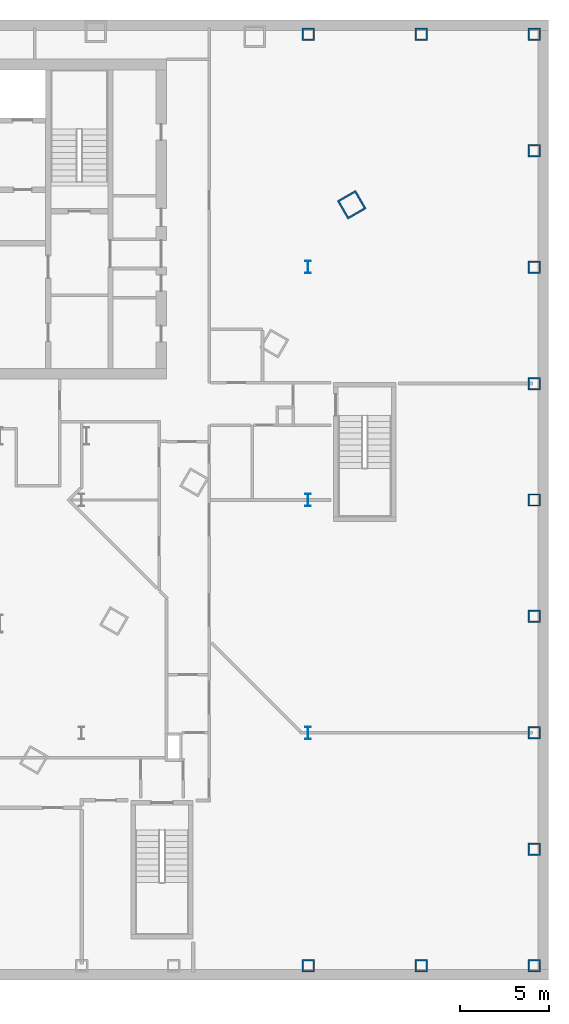
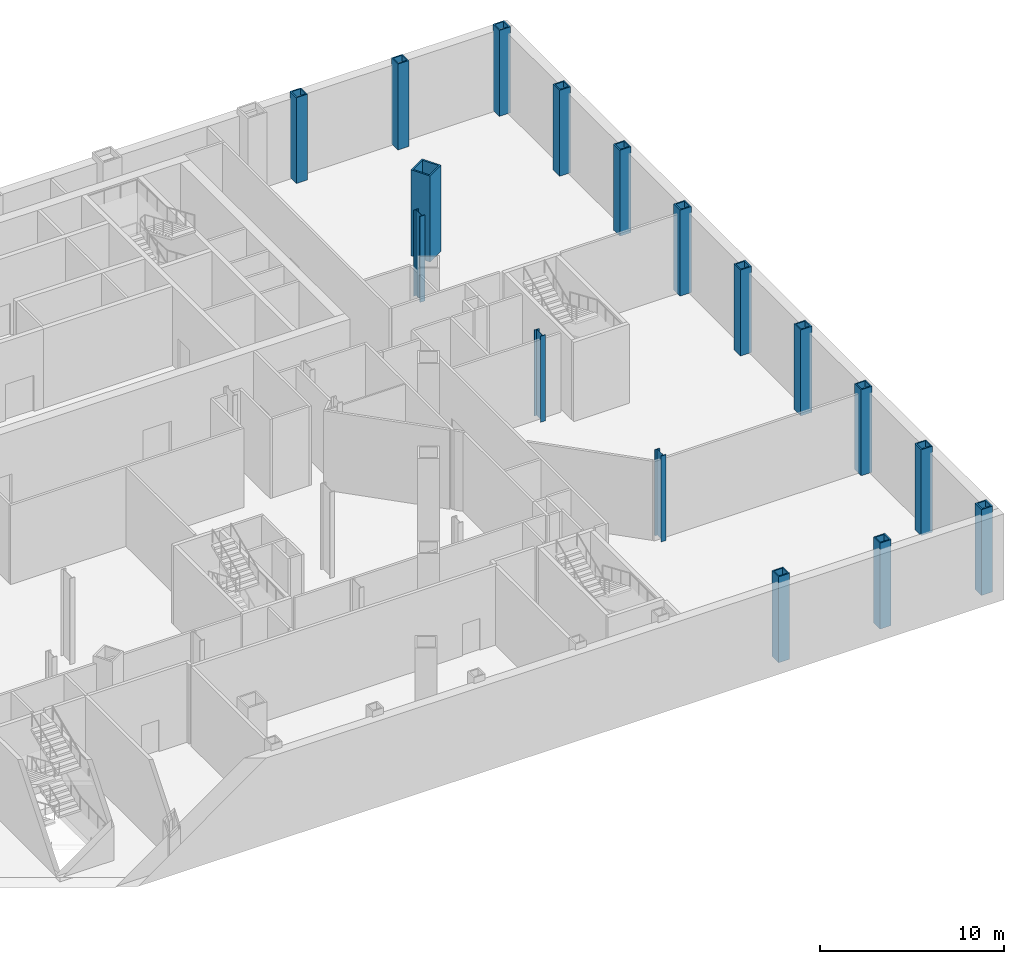
# One storey, part 3 of 17: 17 columns.
"""IFC4 building model written with IfcOpenShell, lengths in metres."""

from ifc_helpers import new_model, si_unit, direction, frame, origin, origin_2d, place, context, subcontext, project, spatial, hollow_rectangle, i_section, extrude, material, material_profile, profile_set, type_object, element, save


model = new_model("IFC4")

# Units and contexts
model_context = context("Model", 3, precision=1e-05, world=origin(), true_north=direction((0.0, 1.0)))
body_context = subcontext(model_context, "Body", "Model", "MODEL_VIEW")
ifc_project = project(units=[si_unit("LENGTHUNIT", "METRE"), si_unit("AREAUNIT", "SQUARE_METRE"), si_unit("VOLUMEUNIT", "CUBIC_METRE"), si_unit("PLANEANGLEUNIT", "RADIAN"), si_unit("MASSUNIT", "GRAM", prefix="KILO")], contexts=[model_context])

# Site, building, storey
site_placement = place(None, origin())
site = spatial("IfcSite", under=ifc_project, at=site_placement, CompositionType="ELEMENT")
building_placement = place(site_placement, origin())
building = spatial("IfcBuilding", under=site, at=building_placement, Name="Njiva Tower", CompositionType="ELEMENT")
storey_placement = place(building_placement, frame((0.0, 0.0, -11.4)))
storey = spatial("IfcBuildingStorey", under=building, at=storey_placement, Name="B2", CompositionType="ELEMENT", Elevation=-11.4)

# Columns
ifc_material = material(Name="Steel S355 J2", Category="steel")
ifc_material_profile_1 = material_profile(ifc_material, hollow_rectangle(XDim=1.2, YDim=1.2, WallThickness=0.1, at=origin_2d()), Name="BOX 1200x1200x100")
ifc_profile_set_1 = profile_set([ifc_material_profile_1], Name="Steel S355 J2")
column_type_1 = type_object("IfcColumnType", Name="C1 Mega-column BOX 1200x1200x100", PredefinedType="COLUMN", material=ifc_profile_set_1)
column_placement = place(storey_placement, frame((27.923, 9.808, 0.0), z_axis=(0.0, 0.0, 1.0), x_axis=(-0.5, 0.866025403784, 0.0)))
element("IfcColumn", 1, at=column_placement, inside=storey, type_object=column_type_1, Name="Mega-column B2-C18", PredefinedType="COLUMN", context=body_context, shape_type="SweptSolid", body=[
    extrude(hollow_rectangle(XDim=1.2, YDim=1.2, WallThickness=0.1, at=origin_2d()), origin(), (0.0, 0.0, 1.0), 5.7),
])
ifc_material_profile_2 = material_profile(ifc_material, hollow_rectangle(XDim=0.7, YDim=0.7, WallThickness=0.08, at=origin_2d()), Name="BOX 700x700x80")
ifc_profile_set_2 = profile_set([ifc_material_profile_2], Name="Steel S355 J2")
column_type_2 = type_object("IfcColumnType", Name="C3 Podium perimeter column BOX 700x700x80", PredefinedType="COLUMN", material=ifc_profile_set_2)
for number, where, z_axis, x_axis, name in (
    (2, (38.2, -33.0, 0.0), (0.0, 0.0, 1.0), (0.0, 1.0, 0.0), "Podium perimeter column B2-C27"),
    (3, (38.2, -26.45, 0.0), (0.0, 0.0, 1.0), (0.0, 1.0, 0.0), "Podium perimeter column B2-C28"),
    (4, (38.2, -19.9, 0.0), (0.0, 0.0, 1.0), (0.0, 1.0, 0.0), "Podium perimeter column B2-C29"),
    (5, (38.2, -13.35, 0.0), (0.0, 0.0, 1.0), (0.0, 1.0, 0.0), "Podium perimeter column B2-C30"),
    (6, (38.2, -6.8, 0.0), (0.0, 0.0, 1.0), (0.0, 1.0, 0.0), "Podium perimeter column B2-C31"),
    (7, (38.2, -0.25, 0.0), (0.0, 0.0, 1.0), (0.0, 1.0, 0.0), "Podium perimeter column B2-C32"),
    (8, (38.2, 6.3, 0.0), (0.0, 0.0, 1.0), (0.0, 1.0, 0.0), "Podium perimeter column B2-C33"),
    (9, (38.2, 12.85, 0.0), (0.0, 0.0, 1.0), (0.0, 1.0, 0.0), "Podium perimeter column B2-C34"),
    (10, (38.2, 19.4, 0.0), (0.0, 0.0, 1.0), (-1.0, 0.0, 0.0), "Podium perimeter column B2-C35"),
    (11, (31.833, 19.4, 0.0), (0.0, 0.0, 1.0), (-1.0, 0.0, 0.0), "Podium perimeter column B2-C36"),
    (12, (25.467, 19.4, 0.0), (0.0, 0.0, 1.0), (-1.0, 0.0, 0.0), "Podium perimeter column B2-C37"),
    (13, (25.467, -33.0, 0.0), (0.0, 0.0, 1.0), (1.0, 0.0, 0.0), "Podium perimeter column B2-C60"),
    (14, (31.833, -33.0, 0.0), (0.0, 0.0, 1.0), (1.0, 0.0, 0.0), "Podium perimeter column B2-C61"),
):
    element("IfcColumn", number, at=place(storey_placement, frame(where, z_axis=z_axis, x_axis=x_axis)), inside=storey, type_object=column_type_2, Name=name, PredefinedType="COLUMN", context=body_context, shape_type="SweptSolid", body=[
        extrude(hollow_rectangle(XDim=0.7, YDim=0.7, WallThickness=0.08, at=origin_2d()), origin(), (0.0, 0.0, 1.0), 5.7),
    ])
ifc_material_profile_3 = material_profile(ifc_material, i_section(OverallWidth=0.304, OverallDepth=0.716, WebThickness=0.021, FlangeThickness=0.04, at=origin_2d()), Name="HEM 700")
ifc_profile_set_3 = profile_set([ifc_material_profile_3], Name="Steel S355 J2")
column_type_3 = type_object("IfcColumnType", Name="C4 Station column HEM 700", PredefinedType="COLUMN", material=ifc_profile_set_3)
for number, where, z_axis, x_axis, name in (
    (15, (25.467, 6.3, 0.0), (0.0, 0.0, 1.0), (1.0, 0.0, 0.0), "Station column B2-C69"),
    (16, (25.467, -6.8, 0.0), (0.0, 0.0, 1.0), (1.0, 0.0, 0.0), "Station column B2-C70"),
    (17, (25.467, -19.9, 0.0), (0.0, 0.0, 1.0), (1.0, 0.0, 0.0), "Station column B2-C71"),
):
    element("IfcColumn", number, at=place(storey_placement, frame(where, z_axis=z_axis, x_axis=x_axis)), inside=storey, type_object=column_type_3, Name=name, PredefinedType="COLUMN", context=body_context, shape_type="SweptSolid", body=[
        extrude(i_section(OverallWidth=0.304, OverallDepth=0.716, WebThickness=0.021, FlangeThickness=0.04, at=origin_2d()), origin(), (0.0, 0.0, 1.0), 5.7),
    ])

save(model, "model.ifc")
